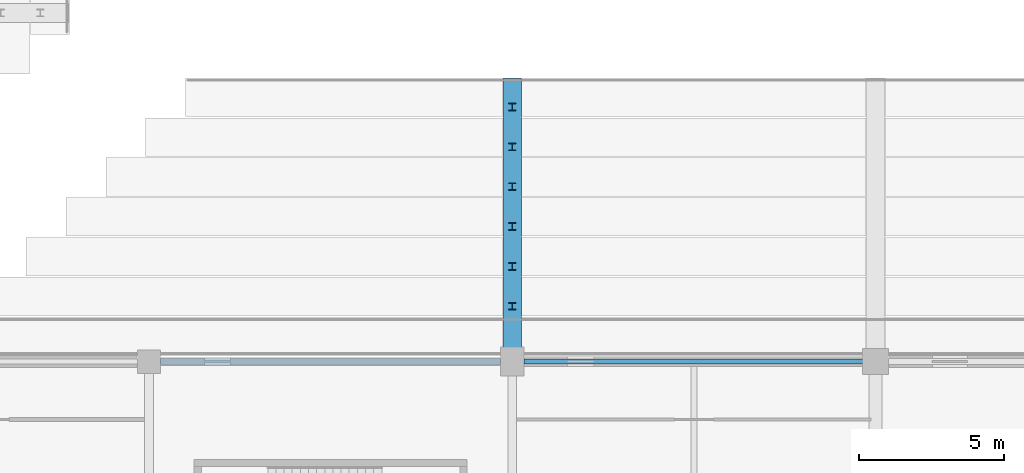
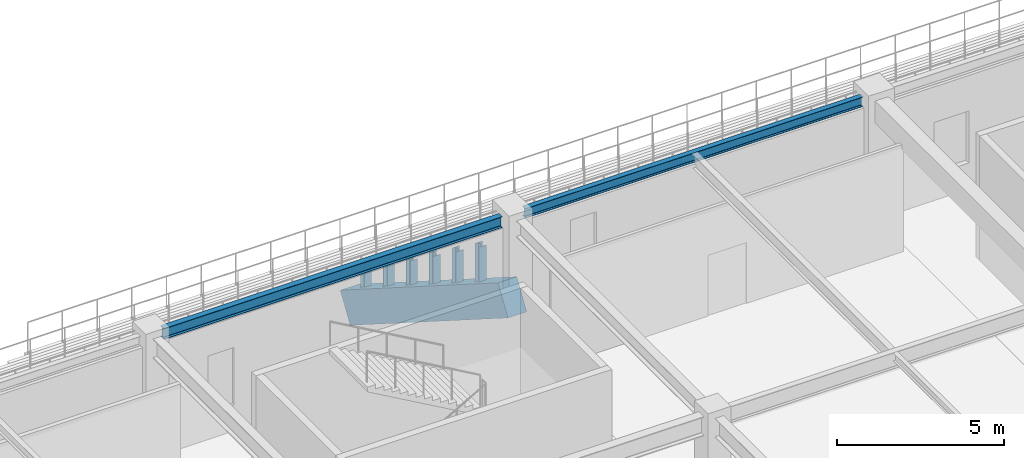
# One storey, part 15 of 134: 6 members, 3 beams.
"""IFC4 building model written with IfcOpenShell, lengths in metres."""

from ifc_helpers import new_model, si_unit, direction, frame, origin, origin_2d, place, context, subcontext, project, spatial, rectangle, i_section, extrude, material, material_profile, profile_set, type_object, element, save


model = new_model("IFC4")

# Units and contexts
model_context = context("Model", 3, precision=1e-05, world=origin(), true_north=direction((0.0, 1.0)))
body_context = subcontext(model_context, "Body", "Model", "MODEL_VIEW")
ifc_project = project(units=[si_unit("LENGTHUNIT", "METRE"), si_unit("AREAUNIT", "SQUARE_METRE"), si_unit("VOLUMEUNIT", "CUBIC_METRE"), si_unit("PLANEANGLEUNIT", "RADIAN"), si_unit("MASSUNIT", "GRAM", prefix="KILO")], contexts=[model_context])

# Site, building, storey
site_placement = place(None, origin())
site = spatial("IfcSite", under=ifc_project, at=site_placement, CompositionType="ELEMENT")
building_placement = place(site_placement, origin())
building = spatial("IfcBuilding", under=site, at=building_placement, Name="Kazenohara Klinker Stadium", CompositionType="ELEMENT")
storey_placement = place(building_placement, frame((0.0, 0.0, 5.39990234375)))
storey = spatial("IfcBuildingStorey", under=building, at=storey_placement, Name="L01", CompositionType="ELEMENT", Elevation=5.39990234375)

# Beams
ifc_material_1 = material(Name="Steel S355", Category="steel")
ifc_material_profile_1 = material_profile(ifc_material_1, i_section(OverallWidth=0.199951171875, OverallDepth=0.39990234375, WebThickness=0.008056640625, FlangeThickness=0.012939453125, FilletRadius=0.012939453125, at=origin_2d()), Name="H-400x200x8x13")
ifc_profile_set_1 = profile_set([ifc_material_profile_1], Name="Steel S355")
beam_type_1 = type_object("IfcBeamType", Name="BM-SPD01", PredefinedType="SPANDREL", material=ifc_profile_set_1)
beam_1_placement = place(storey_placement, frame((61.89990234375, 36.0, 4.35009765625), z_axis=(1.0, 0.0, 0.0), x_axis=(0.0, 1.0, 0.0)))
element("IfcBeam", 1, at=beam_1_placement, inside=storey, type_object=beam_type_1, Name="Primary girder SP01 L01 6-7/D", PredefinedType="SPANDREL", context=body_context, shape_type="SweptSolid", body=[
    extrude(i_section(OverallWidth=0.199951171875, OverallDepth=0.39990234375, WebThickness=0.008056640625, FlangeThickness=0.012939453125, FilletRadius=0.012939453125, at=origin_2d()), origin(), (0.0, 0.0, 1.0), 11.7001953125),
])
ifc_material_profile_2 = material_profile(ifc_material_1, i_section(OverallWidth=0.175048828125, OverallDepth=0.35009765625, WebThickness=0.007080078125, FlangeThickness=0.010986328125, FilletRadius=0.012939453125, at=origin_2d()), Name="H-350x175x7x11")
ifc_profile_set_2 = profile_set([ifc_material_profile_2], Name="Steel S355")
beam_type_2 = type_object("IfcBeamType", Name="BM-SPD02", PredefinedType="SPANDREL", material=ifc_profile_set_2)
beam_2_placement = place(storey_placement, frame((74.39990234375, 36.0, 4.375), z_axis=(1.0, 0.0, 0.0), x_axis=(0.0, 1.0, 0.0)))
element("IfcBeam", 2, at=beam_2_placement, inside=storey, type_object=beam_type_2, Name="Primary girder SP02 L01 7-8/D", PredefinedType="SPANDREL", context=body_context, shape_type="SweptSolid", body=[
    extrude(i_section(OverallWidth=0.175048828125, OverallDepth=0.35009765625, WebThickness=0.007080078125, FlangeThickness=0.010986328125, FilletRadius=0.012939453125, at=origin_2d()), origin(), (0.0, 0.0, 1.0), 11.68017578125),
])

# Members
ifc_material_profile_3 = material_profile(ifc_material_1, i_section(OverallWidth=0.25, OverallDepth=0.25, WebThickness=0.009033203125, FlangeThickness=0.013916015625, FilletRadius=0.012939453125, at=origin_2d()), Name="H-250x250x9x14")
ifc_profile_set_3 = profile_set([ifc_material_profile_3], Name="Steel S355")
member_type = type_object("IfcMemberType", Name="MEM-STR02", PredefinedType="STRUT", material=ifc_profile_set_3)
member_1_placement = place(storey_placement, frame((74.0, 37.904296875, 0.407470703125), z_axis=(0.0, 0.0, 1.0), x_axis=(1.0, 0.0, 0.0)))
element("IfcMember", 3, at=member_1_placement, inside=storey, type_object=member_type, Name="Precast tier riser stool LOWER-S-02-06", PredefinedType="STRUT", context=body_context, shape_type="SweptSolid", body=[
    extrude(i_section(OverallWidth=0.25, OverallDepth=0.25, WebThickness=0.009033203125, FlangeThickness=0.013916015625, FilletRadius=0.012939453125, at=origin_2d()), origin(), (0.0, 0.0, 1.0), 1.78271484375),
])
member_2_placement = place(storey_placement, frame((74.0, 39.275634765625, -0.463134765625), z_axis=(0.0, 0.0, 1.0), x_axis=(1.0, 0.0, 0.0)))
element("IfcMember", 4, at=member_2_placement, inside=storey, type_object=member_type, Name="Precast tier riser stool LOWER-S-03-06", PredefinedType="STRUT", context=body_context, shape_type="SweptSolid", body=[
    extrude(i_section(OverallWidth=0.25, OverallDepth=0.25, WebThickness=0.009033203125, FlangeThickness=0.013916015625, FilletRadius=0.012939453125, at=origin_2d()), origin(), (0.0, 0.0, 1.0), 1.6533203125),
])
member_3_placement = place(storey_placement, frame((74.0, 40.647216796875, -1.333984375), z_axis=(0.0, 0.0, 1.0), x_axis=(1.0, 0.0, 0.0)))
element("IfcMember", 5, at=member_3_placement, inside=storey, type_object=member_type, Name="Precast tier riser stool LOWER-S-04-06", PredefinedType="STRUT", context=body_context, shape_type="SweptSolid", body=[
    extrude(i_section(OverallWidth=0.25, OverallDepth=0.25, WebThickness=0.009033203125, FlangeThickness=0.013916015625, FilletRadius=0.012939453125, at=origin_2d()), origin(), (0.0, 0.0, 1.0), 1.524169921875),
])
member_4_placement = place(storey_placement, frame((74.0, 42.0185546875, -2.20458984375), z_axis=(0.0, 0.0, 1.0), x_axis=(1.0, 0.0, 0.0)))
element("IfcMember", 6, at=member_4_placement, inside=storey, type_object=member_type, Name="Precast tier riser stool LOWER-S-05-06", PredefinedType="STRUT", context=body_context, shape_type="SweptSolid", body=[
    extrude(i_section(OverallWidth=0.25, OverallDepth=0.25, WebThickness=0.009033203125, FlangeThickness=0.013916015625, FilletRadius=0.012939453125, at=origin_2d()), origin(), (0.0, 0.0, 1.0), 1.394775390625),
])
member_5_placement = place(storey_placement, frame((74.0, 43.389892578125, -3.075439453125), z_axis=(0.0, 0.0, 1.0), x_axis=(1.0, 0.0, 0.0)))
element("IfcMember", 7, at=member_5_placement, inside=storey, type_object=member_type, Name="Precast tier riser stool LOWER-S-06-06", PredefinedType="STRUT", context=body_context, shape_type="SweptSolid", body=[
    extrude(i_section(OverallWidth=0.25, OverallDepth=0.25, WebThickness=0.009033203125, FlangeThickness=0.013916015625, FilletRadius=0.012939453125, at=origin_2d()), origin(), (0.0, 0.0, 1.0), 1.265625),
])
member_6_placement = place(storey_placement, frame((74.0, 44.761474609375, -3.9462890625), z_axis=(0.0, 0.0, 1.0), x_axis=(1.0, 0.0, 0.0)))
element("IfcMember", 8, at=member_6_placement, inside=storey, type_object=member_type, Name="Precast tier riser stool LOWER-S-07-06", PredefinedType="STRUT", context=body_context, shape_type="SweptSolid", body=[
    extrude(i_section(OverallWidth=0.25, OverallDepth=0.25, WebThickness=0.009033203125, FlangeThickness=0.013916015625, FilletRadius=0.012939453125, at=origin_2d()), origin(), (0.0, 0.0, 1.0), 1.136474609375),
])

# Beam
ifc_material_2 = material(Name="Precast concrete C50/60", Category="concrete")
ifc_material_profile_4 = material_profile(ifc_material_2, rectangle(XDim=0.64990234375, YDim=1.10009765625, at=origin_2d()), Name="PC-RAKER-650x1100")
ifc_profile_set_4 = profile_set([ifc_material_profile_4], Name="Precast concrete C50/60")
beam_type_3 = type_object("IfcBeamType", Name="RAKER-RK01", PredefinedType="USERDEFINED", material=ifc_profile_set_4)
beam_3_placement = place(storey_placement, frame((74.0, 36.0, 1.401611328125), z_axis=(0.0, 0.844211562005, -0.536010110518), x_axis=(-1.0, 0.0, 0.0)))
element("IfcBeam", 9, at=beam_3_placement, inside=storey, type_object=beam_type_3, Name="Precast bowl raker girder RK01 LOWER South 7", ObjectType="RAKER", PredefinedType="USERDEFINED", context=body_context, shape_type="SweptSolid", body=[
    extrude(rectangle(XDim=0.64990234375, YDim=1.10009765625, at=origin_2d()), origin(), (0.0, 0.0, 1.0), 11.19384765625),
])

save(model, "model.ifc")
